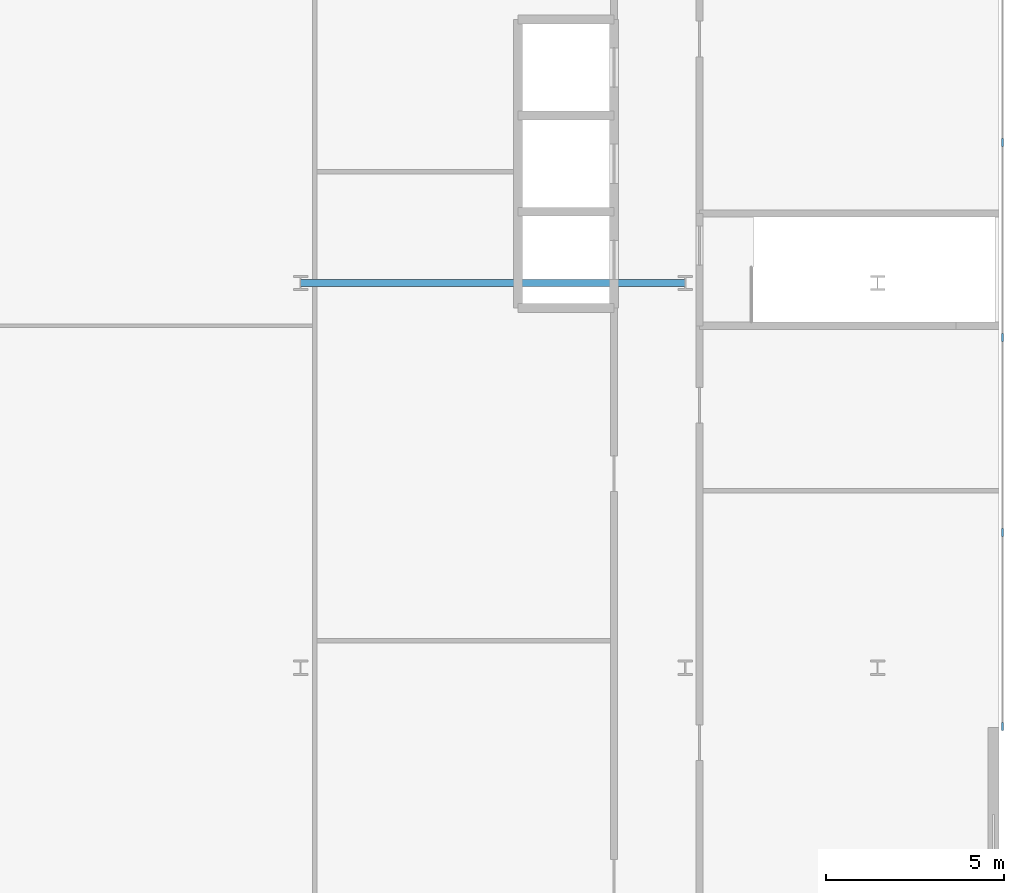
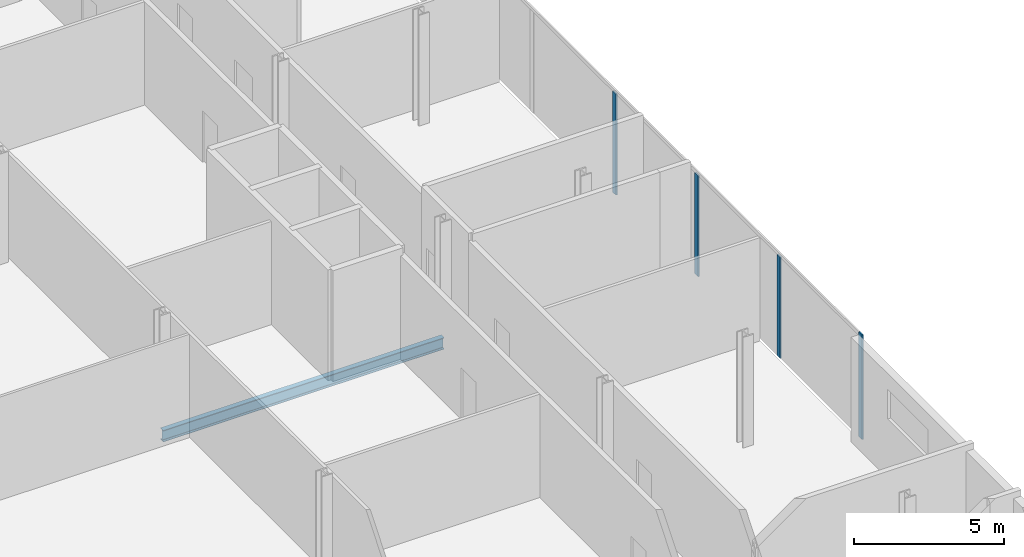
# One storey, part 14 of 43: 4 members, 1 beam, 1 element without a shape of its own.
"""IFC4 building model written with IfcOpenShell, lengths in metres."""

from ifc_helpers import new_model, si_unit, direction, frame, origin, origin_2d, place, context, subcontext, project, spatial, rectangle, i_section, extrude, material, layer, layer_set, material_profile, profile_set, type_object, element, aggregate, save


model = new_model("IFC4")

# Units and contexts
model_context = context("Model", 3, precision=1e-05, world=origin(), true_north=direction((0.0, 1.0)))
body_context = subcontext(model_context, "Body", "Model", "MODEL_VIEW")
ifc_project = project(units=[si_unit("LENGTHUNIT", "METRE"), si_unit("AREAUNIT", "SQUARE_METRE"), si_unit("VOLUMEUNIT", "CUBIC_METRE"), si_unit("PLANEANGLEUNIT", "RADIAN"), si_unit("MASSUNIT", "GRAM", prefix="KILO")], contexts=[model_context])

# Site, building, storey
site_placement = place(None, origin())
site = spatial("IfcSite", under=ifc_project, at=site_placement, CompositionType="ELEMENT")
building_placement = place(site_placement, origin())
building = spatial("IfcBuilding", under=site, at=building_placement, Name="Kheshtan School and Residences Tower", CompositionType="ELEMENT")
storey_placement = place(building_placement, frame((0.0, 0.0, 26.0)))
storey = spatial("IfcBuildingStorey", under=building, at=storey_placement, Name="L05", CompositionType="ELEMENT", Elevation=26.0)

# Beam
ifc_material_1 = material(Name="Steel ASTM A992 Grade 50", Category="steel")
ifc_material_profile_1 = material_profile(ifc_material_1, i_section(OverallWidth=0.194091796875, OverallDepth=0.468994140625, WebThickness=0.0126953125, FlangeThickness=0.0205078125, FilletRadius=0.01416015625, at=origin_2d()), Name="W460x106")
ifc_profile_set_1 = profile_set([ifc_material_profile_1], Name="Steel ASTM A992 Grade 50")
beam_type = type_object("IfcBeamType", Name="Beam PB2 W460x106 ASTM A992 Grade 50", PredefinedType="BEAM", material=ifc_profile_set_1)
beam_placement = place(storey_placement, frame((112.39990234375, 67.199951171875, -0.534423828125), z_axis=(1.0, 0.0, 0.0), x_axis=(0.0, 1.0, 0.0)))
element("IfcBeam", 1, at=beam_placement, inside=storey, type_object=beam_type, Name="Podium floor beam PB2", PredefinedType="BEAM", context=body_context, shape_type="SweptSolid", body=[
    extrude(i_section(OverallWidth=0.194091796875, OverallDepth=0.468994140625, WebThickness=0.0126953125, FlangeThickness=0.0205078125, FilletRadius=0.01416015625, at=origin_2d()), origin(), (0.0, 0.0, 1.0), 10.800048828125),
])

# Curtain wall, members
ifc_material_2 = material(Name="Clear low-e glass in thermally broken aluminium frame", Category="aluminium")
ifc_layer = layer(ifc_material_2, 0.22509765625)
ifc_layer_set = layer_set([ifc_layer], Name="Curtain wall CW-P")
curtain_wall_type = type_object("IfcCurtainWallType", Name="Curtain wall CW-P", PredefinedType="NOTDEFINED", material=ifc_layer_set)
curtain_wall_placement = place(storey_placement, origin())
curtain_wall = element("IfcCurtainWall", 2, at=curtain_wall_placement, inside=storey, type_object=curtain_wall_type, Name="Curtain wall CWP8a", PredefinedType="NOTDEFINED")
ifc_material_3 = material(Name="Thermally broken aluminium, dark bronze anodised", Category="aluminium")
ifc_material_profile_2 = material_profile(ifc_material_3, rectangle(XDim=0.06005859375, YDim=0.22509765625, at=origin_2d()), Name="CW-P mullion 60x225")
ifc_profile_set_2 = profile_set([ifc_material_profile_2], Name="Thermally broken aluminium, dark bronze anodised")
member_type = type_object("IfcMemberType", Name="CW-P mullion 60x225", PredefinedType="MULLION", material=ifc_profile_set_2)
member_1_placement = place(storey_placement, frame((132.10009765625, 71.146728515625, 0.0), z_axis=(0.0, 0.0, 1.0), x_axis=(1.0, 0.0, 0.0)))
member_1 = element("IfcMember", 3, at=member_1_placement, type_object=member_type, Name="CWP8a mullion 7", PredefinedType="MULLION", context=body_context, shape_type="SweptSolid", body=[
    extrude(rectangle(XDim=0.06005859375, YDim=0.22509765625, at=origin_2d()), origin(), (0.0, 0.0, 1.0), 4.110107421875),
])
member_2_placement = place(storey_placement, frame((132.10009765625, 65.671142578125, 0.0), z_axis=(0.0, 0.0, 1.0), x_axis=(1.0, 0.0, 0.0)))
member_2 = element("IfcMember", 4, at=member_2_placement, type_object=member_type, Name="CWP8a mullion 8", PredefinedType="MULLION", context=body_context, shape_type="SweptSolid", body=[
    extrude(rectangle(XDim=0.06005859375, YDim=0.22509765625, at=origin_2d()), origin(), (0.0, 0.0, 1.0), 4.110107421875),
])
member_3_placement = place(storey_placement, frame((132.10009765625, 60.195556640625, 0.0), z_axis=(0.0, 0.0, 1.0), x_axis=(1.0, 0.0, 0.0)))
member_3 = element("IfcMember", 5, at=member_3_placement, type_object=member_type, Name="CWP8a mullion 9", PredefinedType="MULLION", context=body_context, shape_type="SweptSolid", body=[
    extrude(rectangle(XDim=0.06005859375, YDim=0.22509765625, at=origin_2d()), origin(), (0.0, 0.0, 1.0), 4.110107421875),
])
member_4_placement = place(storey_placement, frame((132.10009765625, 54.75, 0.0), z_axis=(0.0, 0.0, 1.0), x_axis=(1.0, 0.0, 0.0)))
member_4 = element("IfcMember", 6, at=member_4_placement, type_object=member_type, Name="CWP8a mullion 10", PredefinedType="MULLION", context=body_context, shape_type="SweptSolid", body=[
    extrude(rectangle(XDim=0.06005859375, YDim=0.22509765625, at=origin_2d()), origin(), (0.0, 0.0, 1.0), 4.25),
])
aggregate(curtain_wall, [member_1, member_2, member_3, member_4])

save(model, "model.ifc")
